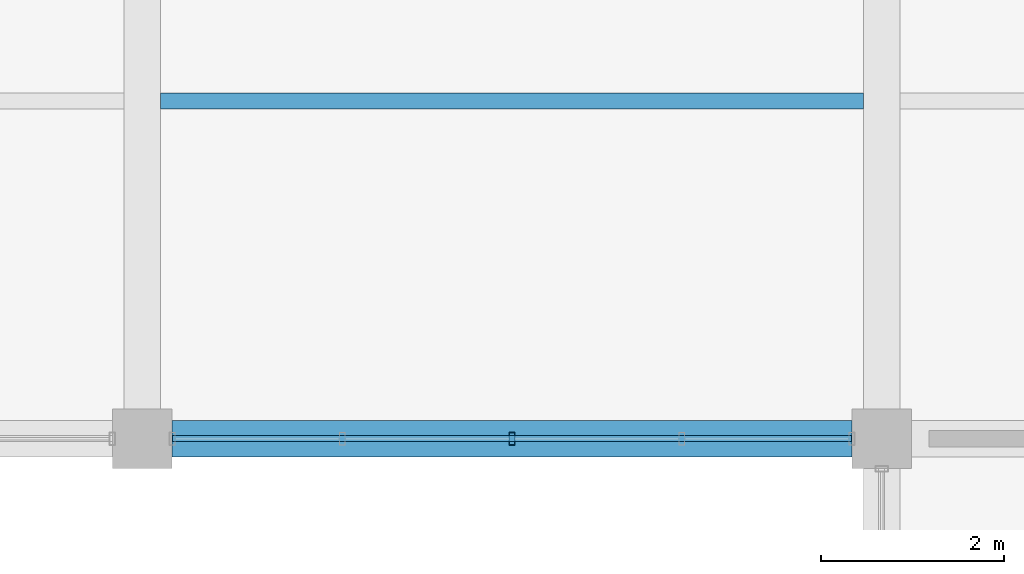
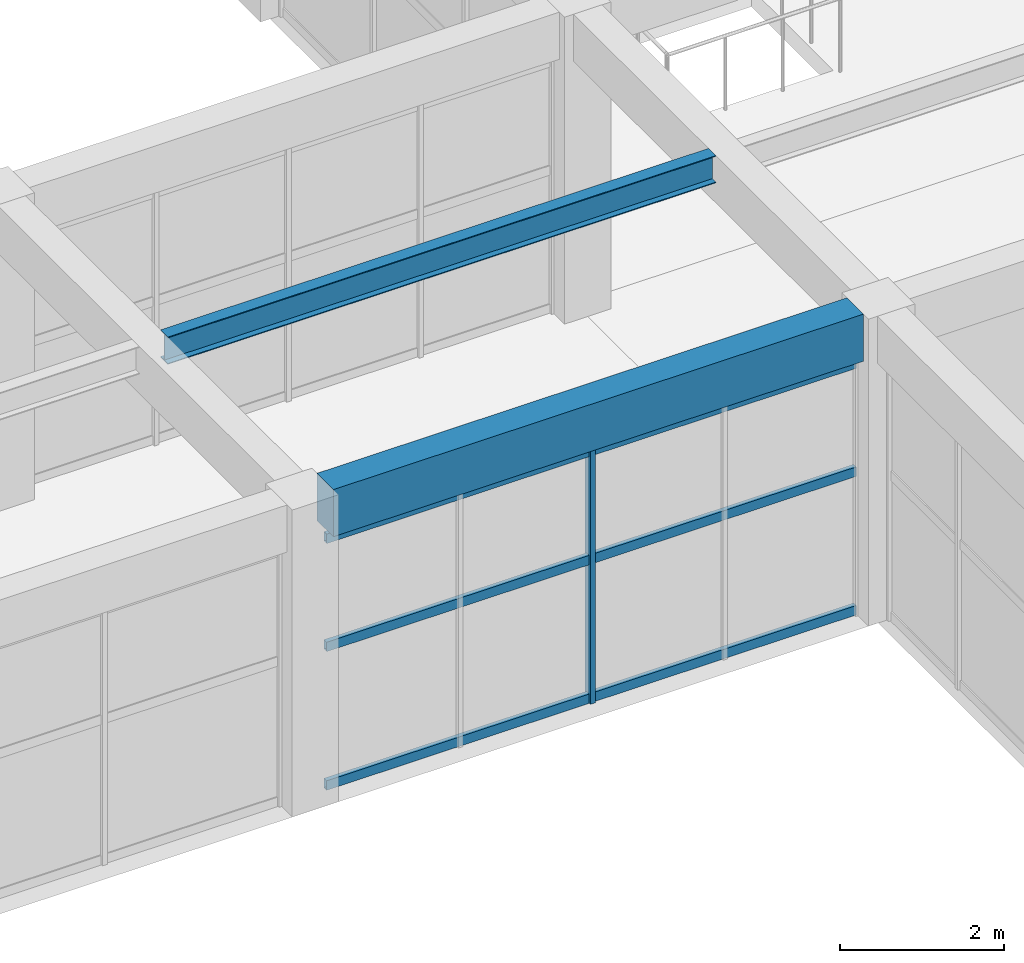
# One storey, part 115 of 161: 4 members, 2 beams, 1 element without a shape of its own.
"""IFC4 building model written with IfcOpenShell, lengths in metres."""

from ifc_helpers import new_model, si_unit, direction, frame, origin, origin_2d, place, context, subcontext, project, spatial, rectangle, hollow_rectangle, i_section, extrude, material, material_profile, profile_set, type_object, element, aggregate, save


model = new_model("IFC4")

# Units and contexts
model_context = context("Model", 3, precision=1e-05, world=origin(), true_north=direction((0.0, 1.0)))
body_context = subcontext(model_context, "Body", "Model", "MODEL_VIEW")
ifc_project = project(units=[si_unit("LENGTHUNIT", "METRE"), si_unit("AREAUNIT", "SQUARE_METRE"), si_unit("VOLUMEUNIT", "CUBIC_METRE"), si_unit("PLANEANGLEUNIT", "RADIAN"), si_unit("MASSUNIT", "GRAM", prefix="KILO")], contexts=[model_context])

# Site, building, storey
site_placement = place(None, origin())
site = spatial("IfcSite", under=ifc_project, at=site_placement, CompositionType="ELEMENT")
building_placement = place(site_placement, origin())
building = spatial("IfcBuilding", under=site, at=building_placement, Name="Cimatlan Art Gallery", CompositionType="ELEMENT")
storey_placement = place(building_placement, frame((0.0, 0.0, 5.39990234375)))
storey = spatial("IfcBuildingStorey", under=building, at=storey_placement, Name="L01", CompositionType="ELEMENT", Elevation=5.39990234375)

# Beams
ifc_material_1 = material(Name="Concrete C40/50", Category="concrete")
ifc_material_profile_1 = material_profile(ifc_material_1, rectangle(XDim=0.39990234375, YDim=0.699951171875, at=origin_2d()), Name="RC400X700")
ifc_profile_set_1 = profile_set([ifc_material_profile_1], Name="Concrete C40/50")
beam_type_1 = type_object("IfcBeamType", Name="BM-RC-400X700", PredefinedType="BEAM", material=ifc_profile_set_1)
beam_1_placement = place(storey_placement, frame((140.02490234375, 53.5, 4.210205078125), z_axis=(1.0, 0.0, 0.0), x_axis=(0.0, 1.0, 0.0)))
element("IfcBeam", 1, at=beam_1_placement, inside=storey, type_object=beam_type_1, Name="BM-X-L01-17-07", PredefinedType="BEAM", context=body_context, shape_type="SweptSolid", body=[
    extrude(rectangle(XDim=0.39990234375, YDim=0.699951171875, at=origin_2d()), origin(), (0.0, 0.0, 1.0), 7.4501953125),
])
ifc_material_2 = material(Name="Steel ASTM A992 Grade 50", Category="steel")
ifc_material_profile_2 = material_profile(ifc_material_2, i_section(OverallWidth=0.177978515625, OverallDepth=0.406982421875, WebThickness=0.0078125, FlangeThickness=0.0126953125, at=origin_2d()), Name="W16X40")
ifc_profile_set_2 = profile_set([ifc_material_profile_2], Name="Steel ASTM A992 Grade 50")
beam_type_2 = type_object("IfcBeamType", Name="BM-STL-W16X40", PredefinedType="JOIST", material=ifc_profile_set_2)
beam_2_placement = place(storey_placement, frame((139.89990234375, 57.199951171875, 4.356689453125), z_axis=(1.0, 0.0, 0.0), x_axis=(0.0, 1.0, 0.0)))
element("IfcBeam", 2, at=beam_2_placement, inside=storey, type_object=beam_type_2, Name="JST-L01-17-07", PredefinedType="JOIST", context=body_context, shape_type="SweptSolid", body=[
    extrude(i_section(OverallWidth=0.177978515625, OverallDepth=0.406982421875, WebThickness=0.0078125, FlangeThickness=0.0126953125, at=origin_2d()), origin(), (0.0, 0.0, 1.0), 7.7001953125),
])

# Curtain wall, members
ifc_material_3 = material(Name="Anodised bronze unitised curtain wall")
curtain_wall_type = type_object("IfcCurtainWallType", Name="CW-V-07442X03785-B4", PredefinedType="NOTDEFINED", material=ifc_material_3)
curtain_wall_placement = place(storey_placement, origin())
curtain_wall = element("IfcCurtainWall", 3, at=curtain_wall_placement, inside=storey, type_object=curtain_wall_type, Name="CW-L01-17-07-S", PredefinedType="NOTDEFINED")
ifc_material_4 = material(Name="Anodised bronze aluminium 6063-T6", Category="aluminium")
ifc_material_profile_3 = material_profile(ifc_material_4, hollow_rectangle(XDim=0.06494140625, YDim=0.139892578125, WallThickness=0.00390625, at=origin_2d()), Name="ALU65X140X4")
ifc_profile_set_3 = profile_set([ifc_material_profile_3], Name="Anodised bronze aluminium 6063-T6")
member_type_1 = type_object("IfcMemberType", Name="CW-MUL-140", PredefinedType="MULLION", material=ifc_profile_set_3)
member_1_placement = place(storey_placement, frame((143.75, 53.5, 0.0), z_axis=(0.0, 0.0, 1.0), x_axis=(1.0, 0.0, 0.0)))
member_1 = element("IfcMember", 4, at=member_1_placement, type_object=member_type_1, Name="CW-L01-17-07-S-M3", PredefinedType="MULLION", context=body_context, shape_type="SweptSolid", body=[
    extrude(hollow_rectangle(XDim=0.06494140625, YDim=0.139892578125, WallThickness=0.00390625, at=origin_2d()), origin(), (0.0, 0.0, 1.0), 3.78515625),
])
ifc_material_profile_4 = material_profile(ifc_material_4, hollow_rectangle(XDim=0.06494140625, YDim=0.139892578125, WallThickness=0.00390625, at=origin_2d()), Name="ALU65X140X4")
ifc_profile_set_4 = profile_set([ifc_material_profile_4], Name="Anodised bronze aluminium 6063-T6")
member_type_2 = type_object("IfcMemberType", Name="CW-TRN-140", PredefinedType="USERDEFINED", material=ifc_profile_set_4)
member_2_placement = place(storey_placement, frame((147.470947265625, 53.5, 0.06005859375), z_axis=(-1.0, 0.0, 0.0), x_axis=(0.0, -1.0, 0.0)))
member_2 = element("IfcMember", 5, at=member_2_placement, type_object=member_type_2, Name="CW-L01-17-07-S-T1", ObjectType="TRANSOM", PredefinedType="USERDEFINED", context=body_context, shape_type="SweptSolid", body=[
    extrude(hollow_rectangle(XDim=0.06494140625, YDim=0.139892578125, WallThickness=0.00390625, at=origin_2d()), origin(), (0.0, 0.0, 1.0), 7.44189453125),
])
member_3_placement = place(storey_placement, frame((147.470947265625, 53.5, 2.11962890625), z_axis=(-1.0, 0.0, 0.0), x_axis=(0.0, -1.0, 0.0)))
member_3 = element("IfcMember", 6, at=member_3_placement, type_object=member_type_2, Name="CW-L01-17-07-S-T2", ObjectType="TRANSOM", PredefinedType="USERDEFINED", context=body_context, shape_type="SweptSolid", body=[
    extrude(hollow_rectangle(XDim=0.06494140625, YDim=0.139892578125, WallThickness=0.00390625, at=origin_2d()), origin(), (0.0, 0.0, 1.0), 7.44189453125),
])
member_4_placement = place(storey_placement, frame((147.470947265625, 53.5, 3.72509765625), z_axis=(-1.0, 0.0, 0.0), x_axis=(0.0, -1.0, 0.0)))
member_4 = element("IfcMember", 7, at=member_4_placement, type_object=member_type_2, Name="CW-L01-17-07-S-T3", ObjectType="TRANSOM", PredefinedType="USERDEFINED", context=body_context, shape_type="SweptSolid", body=[
    extrude(hollow_rectangle(XDim=0.06494140625, YDim=0.139892578125, WallThickness=0.00390625, at=origin_2d()), origin(), (0.0, 0.0, 1.0), 7.44189453125),
])
aggregate(curtain_wall, [member_1, member_2, member_3, member_4])

save(model, "model.ifc")
